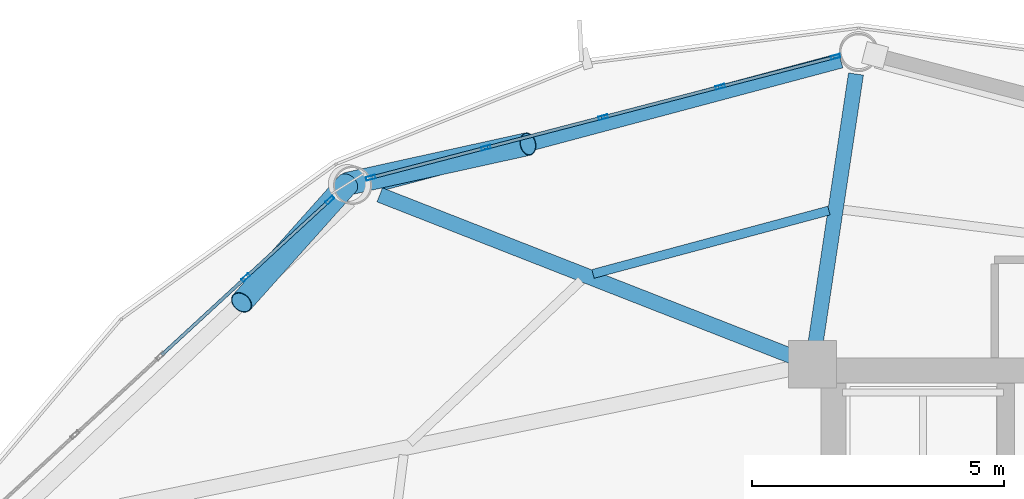
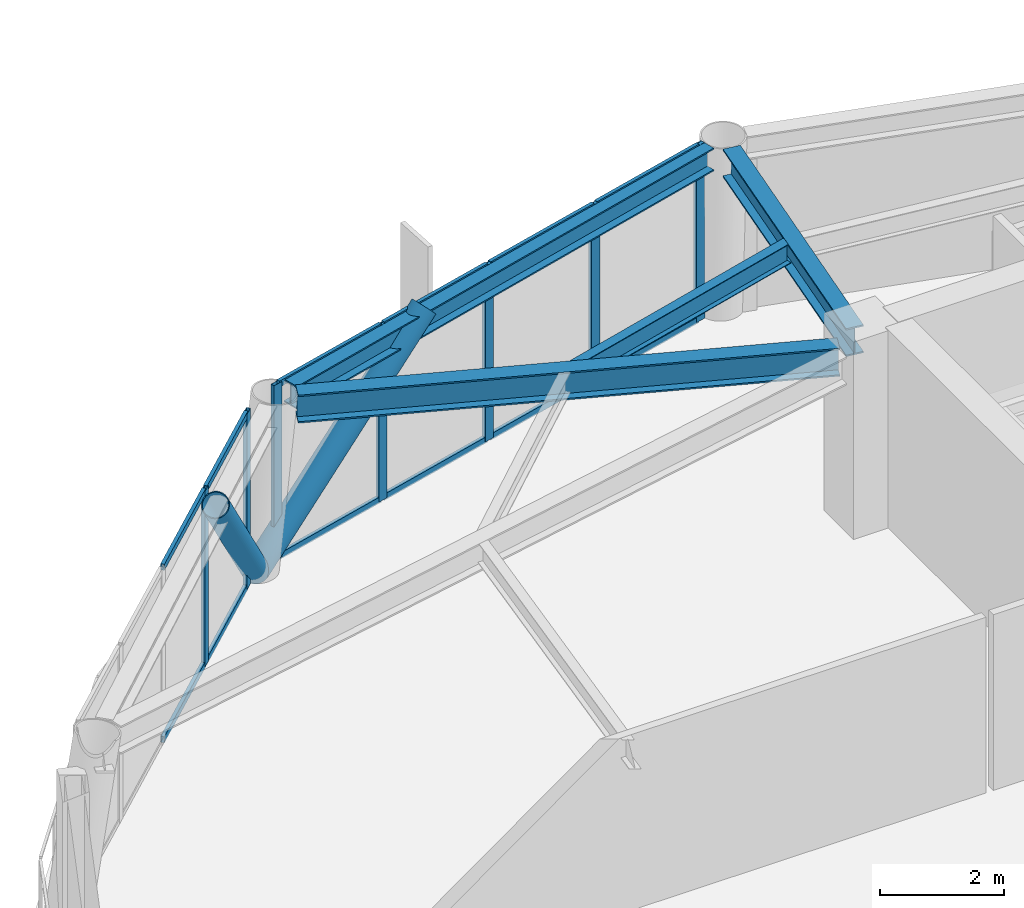
# One storey, part 18 of 26: 21 members, 4 beams, 2 elements without a shape of their own.
"""IFC4 building model written with IfcOpenShell, lengths in metres."""

from ifc_helpers import new_model, si_unit, direction, frame, origin, origin_2d, place, context, subcontext, project, spatial, hollow_rectangle, hollow_circle, i_section, extrude, material, layer, layer_set, material_profile, profile_set, type_object, element, aggregate, save


model = new_model("IFC4")

# Units and contexts
model_context = context("Model", 3, precision=1e-05, world=origin(), true_north=direction((0.0, 1.0)))
body_context = subcontext(model_context, "Body", "Model", "MODEL_VIEW")
ifc_project = project(units=[si_unit("LENGTHUNIT", "METRE"), si_unit("AREAUNIT", "SQUARE_METRE"), si_unit("VOLUMEUNIT", "CUBIC_METRE"), si_unit("PLANEANGLEUNIT", "RADIAN"), si_unit("MASSUNIT", "GRAM", prefix="KILO")], contexts=[model_context])

# Site, building, storey
site_placement = place(None, origin())
site = spatial("IfcSite", under=ifc_project, at=site_placement, CompositionType="ELEMENT")
building_placement = place(site_placement, origin())
building = spatial("IfcBuilding", under=site, at=building_placement, Name="Varnakorn Sky Granary", CompositionType="ELEMENT")
storey_placement = place(building_placement, frame((0.0, 0.0, 169.5)))
storey = spatial("IfcBuildingStorey", under=building, at=storey_placement, Name="L42", CompositionType="ELEMENT", Elevation=169.5)

# Beams
ifc_material_1 = material(Name="Steel S355JR", Category="steel")
ifc_material_profile_1 = material_profile(ifc_material_1, i_section(OverallWidth=0.300048828125, OverallDepth=0.550048828125, WebThickness=0.014892578125, FlangeThickness=0.029052734375, at=origin_2d()), Name="HE 550 B")
ifc_profile_set_1 = profile_set([ifc_material_profile_1], Name="Steel S355JR")
beam_type_1 = type_object("IfcBeamType", Name="BM-RAD-Z3", PredefinedType="BEAM", material=ifc_profile_set_1)
beam_1_placement = place(storey_placement, frame((-2.357666015625, 13.035400390625, 3.175048828125), z_axis=(0.148439704671, 0.988921460015, 0.0), x_axis=(-0.988921460015, 0.148439704671, 0.0)))
element("IfcBeam", 1, at=beam_1_placement, inside=storey, type_object=beam_type_1, Name="Radial Floor Girder RG04 L42", PredefinedType="BEAM", context=body_context, shape_type="SweptSolid", body=[
    extrude(i_section(OverallWidth=0.300048828125, OverallDepth=0.550048828125, WebThickness=0.014892578125, FlangeThickness=0.029052734375, at=origin_2d()), origin(), (0.0, 0.0, 1.0), 5.412841796875),
])
beam_2_placement = place(storey_placement, frame((-2.81103515625, 12.773193359375, 3.175048828125), z_axis=(-0.931108650768, 0.364741936805, 0.0), x_axis=(-0.364741936805, -0.931108650768, 0.0)))
element("IfcBeam", 2, at=beam_2_placement, inside=storey, type_object=beam_type_1, Name="Radial Floor Girder RG05 L42", PredefinedType="BEAM", context=body_context, shape_type="SweptSolid", body=[
    extrude(i_section(OverallWidth=0.300048828125, OverallDepth=0.550048828125, WebThickness=0.014892578125, FlangeThickness=0.029052734375, at=origin_2d()), origin(), (0.0, 0.0, 1.0), 8.812744140625),
])
ifc_material_profile_2 = material_profile(ifc_material_1, i_section(OverallWidth=0.179931640625, OverallDepth=0.39990234375, WebThickness=0.008544921875, FlangeThickness=0.013427734375, at=origin_2d()), Name="IPE 400")
ifc_profile_set_2 = profile_set([ifc_material_profile_2], Name="Steel S355JR")
beam_type_2 = type_object("IfcBeamType", Name="BM-SEC-Z3", PredefinedType="BEAM", material=ifc_profile_set_2)
beam_3_placement = place(storey_placement, frame((-2.09130859375, 15.67529296875, 3.25), z_axis=(-0.96579522681, -0.259305958032, 0.0), x_axis=(0.259305958032, -0.96579522681, 0.0)))
element("IfcBeam", 3, at=beam_3_placement, inside=storey, type_object=beam_type_2, Name="Secondary Floor Chord Beam MSB04 L42", PredefinedType="BEAM", context=body_context, shape_type="SweptSolid", body=[
    extrude(i_section(OverallWidth=0.179931640625, OverallDepth=0.39990234375, WebThickness=0.008544921875, FlangeThickness=0.013427734375, at=origin_2d()), origin(), (0.0, 0.0, 1.0), 4.853515625),
])
ifc_material_profile_3 = material_profile(ifc_material_1, i_section(OverallWidth=0.300048828125, OverallDepth=0.449951171875, WebThickness=0.013916015625, FlangeThickness=0.02587890625, at=origin_2d()), Name="HE 450 B")
ifc_profile_set_3 = profile_set([ifc_material_profile_3], Name="Steel S355JR")
beam_type_3 = type_object("IfcBeamType", Name="BM-SPD-Z3", PredefinedType="SPANDREL", material=ifc_profile_set_3)
beam_4_placement = place(storey_placement, frame((-1.853515625, 18.65576171875, 3.22509765625), z_axis=(-0.966226381463, -0.257694741438, 0.0), x_axis=(0.257694741438, -0.966226381463, 0.0)))
element("IfcBeam", 4, at=beam_4_placement, inside=storey, type_object=beam_type_3, Name="Perimeter Spandrel Ring Beam RB04 L42", PredefinedType="SPANDREL", context=body_context, shape_type="SweptSolid", body=[
    extrude(i_section(OverallWidth=0.300048828125, OverallDepth=0.449951171875, WebThickness=0.013916015625, FlangeThickness=0.02587890625, at=origin_2d()), origin(), (0.0, 0.0, 1.0), 9.47021484375),
])

# Curtain wall, members
ifc_material_2 = material(Name="Anodised Bronze Aluminium Alloy 6063-T6", Category="aluminium")
ifc_layer = layer(ifc_material_2, 0.179931640625, Name="Anodised Bronze Aluminium Alloy 6063-T6")
ifc_layer_set = layer_set([ifc_layer], Name="Anodised Bronze Aluminium Alloy 6063-T6")
curtain_wall_type = type_object("IfcCurtainWallType", Name="CW-FRM-2", PredefinedType="USERDEFINED", material=ifc_layer_set)
curtain_wall_1_placement = place(storey_placement, origin())
curtain_wall_1 = element("IfcCurtainWall", 5, at=curtain_wall_1_placement, inside=storey, type_object=curtain_wall_type, Name="Unitised Curtain Wall CW4 CW-L42-B04", ObjectType="CURTAIN WALL", PredefinedType="USERDEFINED")
ifc_material_profile_4 = material_profile(ifc_material_2, hollow_rectangle(XDim=0.070068359375, YDim=0.18505859375, WallThickness=0.00390625, at=origin_2d()), Name="ALU MULL 70x185")
ifc_profile_set_4 = profile_set([ifc_material_profile_4], Name="Anodised Bronze Aluminium Alloy 6063-T6")
member_type_1 = type_object("IfcMemberType", Name="CW-FRM-2-MULL", PredefinedType="MULLION", material=ifc_profile_set_4)
member_1_placement = place(storey_placement, frame((-11.19677734375, 16.327392578125, 0.0), z_axis=(0.0, 0.0, 1.0), x_axis=(-0.251759148896, 0.967789920875, 0.0)))
member_1 = element("IfcMember", 6, at=member_1_placement, type_object=member_type_1, Name="CW4 mullion 1", PredefinedType="MULLION", context=body_context, shape_type="SweptSolid", body=[
    extrude(hollow_rectangle(XDim=0.070068359375, YDim=0.18505859375, WallThickness=0.00390625, at=origin_2d()), origin(), (0.0, 0.0, 1.0), 3.449951171875),
])
member_2_placement = place(storey_placement, frame((-8.90478515625, 16.923828125, 0.0), z_axis=(0.0, 0.0, 1.0), x_axis=(-0.251759148896, 0.967789920875, 0.0)))
member_2 = element("IfcMember", 7, at=member_2_placement, type_object=member_type_1, Name="CW4 mullion 2", PredefinedType="MULLION", context=body_context, shape_type="SweptSolid", body=[
    extrude(hollow_rectangle(XDim=0.070068359375, YDim=0.18505859375, WallThickness=0.00390625, at=origin_2d()), origin(), (0.0, 0.0, 1.0), 3.449951171875),
])
member_3_placement = place(storey_placement, frame((-6.578857421875, 17.52880859375, 0.0), z_axis=(0.0, 0.0, 1.0), x_axis=(-0.251759148896, 0.967789920875, 0.0)))
member_3 = element("IfcMember", 8, at=member_3_placement, type_object=member_type_1, Name="CW4 mullion 3", PredefinedType="MULLION", context=body_context, shape_type="SweptSolid", body=[
    extrude(hollow_rectangle(XDim=0.070068359375, YDim=0.18505859375, WallThickness=0.00390625, at=origin_2d()), origin(), (0.0, 0.0, 1.0), 3.449951171875),
])
member_4_placement = place(storey_placement, frame((-4.252685546875, 18.134033203125, 0.0), z_axis=(0.0, 0.0, 1.0), x_axis=(-0.251759148896, 0.967789920875, 0.0)))
member_4 = element("IfcMember", 9, at=member_4_placement, type_object=member_type_1, Name="CW4 mullion 4", PredefinedType="MULLION", context=body_context, shape_type="SweptSolid", body=[
    extrude(hollow_rectangle(XDim=0.070068359375, YDim=0.18505859375, WallThickness=0.00390625, at=origin_2d()), origin(), (0.0, 0.0, 1.0), 3.449951171875),
])
member_5_placement = place(storey_placement, frame((-1.960693359375, 18.730224609375, 0.0), z_axis=(0.0, 0.0, 1.0), x_axis=(-0.251759148896, 0.967789920875, 0.0)))
member_5 = element("IfcMember", 10, at=member_5_placement, type_object=member_type_1, Name="CW4 mullion 5", PredefinedType="MULLION", context=body_context, shape_type="SweptSolid", body=[
    extrude(hollow_rectangle(XDim=0.070068359375, YDim=0.18505859375, WallThickness=0.00390625, at=origin_2d()), origin(), (0.0, 0.0, 1.0), 3.449951171875),
])

curtain_wall_2_placement = place(storey_placement, origin())
curtain_wall_2 = element("IfcCurtainWall", 11, at=curtain_wall_2_placement, inside=storey, type_object=curtain_wall_type, Name="Unitised Curtain Wall CW4 CW-L42-B05", ObjectType="CURTAIN WALL", PredefinedType="USERDEFINED")
member_6_placement = place(storey_placement, frame((-13.6787109375, 14.345703125, 0.0), z_axis=(0.0, 0.0, 1.0), x_axis=(-0.677547955322, 0.735478598084, 0.0)))
member_6 = element("IfcMember", 12, at=member_6_placement, type_object=member_type_1, Name="CW4 mullion 4", PredefinedType="MULLION", context=body_context, shape_type="SweptSolid", body=[
    extrude(hollow_rectangle(XDim=0.070068359375, YDim=0.18505859375, WallThickness=0.00390625, at=origin_2d()), origin(), (0.0, 0.0, 1.0), 3.449951171875),
])
member_7_placement = place(storey_placement, frame((-12.007568359375, 15.88525390625, 0.0), z_axis=(0.0, 0.0, 1.0), x_axis=(-0.677547955322, 0.735478598084, 0.0)))
member_7 = element("IfcMember", 13, at=member_7_placement, type_object=member_type_1, Name="CW4 mullion 5", PredefinedType="MULLION", context=body_context, shape_type="SweptSolid", body=[
    extrude(hollow_rectangle(XDim=0.070068359375, YDim=0.18505859375, WallThickness=0.00390625, at=origin_2d()), origin(), (0.0, 0.0, 1.0), 3.449951171875),
])

# Member
ifc_material_profile_5 = material_profile(ifc_material_2, hollow_rectangle(XDim=0.06494140625, YDim=0.1201171875, WallThickness=0.00341796875, at=origin_2d()), Name="ALU TRAN 65x120")
ifc_profile_set_5 = profile_set([ifc_material_profile_5], Name="Anodised Bronze Aluminium Alloy 6063-T6")
member_type_2 = type_object("IfcMemberType", Name="CW-FRM-2-TRAN", PredefinedType="USERDEFINED", material=ifc_profile_set_5)
member_8_placement = place(storey_placement, frame((-11.162841796875, 16.33642578125, 0.032470703125), z_axis=(0.967793009375, 0.251747276064, 0.0), x_axis=(-0.251747276064, 0.967793009375, 0.0)))
member_8 = element("IfcMember", 14, at=member_8_placement, type_object=member_type_2, Name="CW4 transom 1.1", ObjectType="TRANSOM", PredefinedType="USERDEFINED", context=body_context, shape_type="SweptSolid", body=[
    extrude(hollow_rectangle(XDim=0.06494140625, YDim=0.1201171875, WallThickness=0.00341796875, at=origin_2d()), origin(), (0.0, 0.0, 1.0), 2.29833984375),
])

member_9_placement = place(storey_placement, frame((-11.162841796875, 16.33642578125, 3.41748046875), z_axis=(0.967793009375, 0.251747276064, 0.0), x_axis=(-0.251747276064, 0.967793009375, 0.0)))
member_9 = element("IfcMember", 15, at=member_9_placement, type_object=member_type_2, Name="CW4 transom 1.2", ObjectType="TRANSOM", PredefinedType="USERDEFINED", context=body_context, shape_type="SweptSolid", body=[
    extrude(hollow_rectangle(XDim=0.06494140625, YDim=0.1201171875, WallThickness=0.00341796875, at=origin_2d()), origin(), (0.0, 0.0, 1.0), 2.29833984375),
])

member_10_placement = place(storey_placement, frame((-8.870849609375, 16.9326171875, 0.032470703125), z_axis=(0.967797021362, 0.251731852259, 0.0), x_axis=(-0.251731852259, 0.967797021362, 0.0)))
member_10 = element("IfcMember", 16, at=member_10_placement, type_object=member_type_2, Name="CW4 transom 2.1", ObjectType="TRANSOM", PredefinedType="USERDEFINED", context=body_context, shape_type="SweptSolid", body=[
    extrude(hollow_rectangle(XDim=0.06494140625, YDim=0.1201171875, WallThickness=0.00341796875, at=origin_2d()), origin(), (0.0, 0.0, 1.0), 2.33349609375),
])

member_11_placement = place(storey_placement, frame((-8.870849609375, 16.9326171875, 3.41748046875), z_axis=(0.967797021362, 0.251731852259, 0.0), x_axis=(-0.251731852259, 0.967797021362, 0.0)))
member_11 = element("IfcMember", 17, at=member_11_placement, type_object=member_type_2, Name="CW4 transom 2.2", ObjectType="TRANSOM", PredefinedType="USERDEFINED", context=body_context, shape_type="SweptSolid", body=[
    extrude(hollow_rectangle(XDim=0.06494140625, YDim=0.1201171875, WallThickness=0.00341796875, at=origin_2d()), origin(), (0.0, 0.0, 1.0), 2.33349609375),
])

member_12_placement = place(storey_placement, frame((-6.544921875, 17.53759765625, 0.032470703125), z_axis=(0.967797021362, 0.251731852259, 0.0), x_axis=(-0.251731852259, 0.967797021362, 0.0)))
member_12 = element("IfcMember", 18, at=member_12_placement, type_object=member_type_2, Name="CW4 transom 3.1", ObjectType="TRANSOM", PredefinedType="USERDEFINED", context=body_context, shape_type="SweptSolid", body=[
    extrude(hollow_rectangle(XDim=0.06494140625, YDim=0.1201171875, WallThickness=0.00341796875, at=origin_2d()), origin(), (0.0, 0.0, 1.0), 2.33349609375),
])

member_13_placement = place(storey_placement, frame((-6.544921875, 17.53759765625, 3.41748046875), z_axis=(0.967797021362, 0.251731852259, 0.0), x_axis=(-0.251731852259, 0.967797021362, 0.0)))
member_13 = element("IfcMember", 19, at=member_13_placement, type_object=member_type_2, Name="CW4 transom 3.2", ObjectType="TRANSOM", PredefinedType="USERDEFINED", context=body_context, shape_type="SweptSolid", body=[
    extrude(hollow_rectangle(XDim=0.06494140625, YDim=0.1201171875, WallThickness=0.00341796875, at=origin_2d()), origin(), (0.0, 0.0, 1.0), 2.33349609375),
])

member_14_placement = place(storey_placement, frame((-4.218994140625, 18.142822265625, 0.032470703125), z_axis=(0.967793009375, 0.251747276064, 0.0), x_axis=(-0.251747276064, 0.967793009375, 0.0)))
member_14 = element("IfcMember", 20, at=member_14_placement, type_object=member_type_2, Name="CW4 transom 4.1", ObjectType="TRANSOM", PredefinedType="USERDEFINED", context=body_context, shape_type="SweptSolid", body=[
    extrude(hollow_rectangle(XDim=0.06494140625, YDim=0.1201171875, WallThickness=0.00341796875, at=origin_2d()), origin(), (0.0, 0.0, 1.0), 2.29833984375),
])

member_15_placement = place(storey_placement, frame((-4.218994140625, 18.142822265625, 3.41748046875), z_axis=(0.967793009375, 0.251747276064, 0.0), x_axis=(-0.251747276064, 0.967793009375, 0.0)))
member_15 = element("IfcMember", 21, at=member_15_placement, type_object=member_type_2, Name="CW4 transom 4.2", ObjectType="TRANSOM", PredefinedType="USERDEFINED", context=body_context, shape_type="SweptSolid", body=[
    extrude(hollow_rectangle(XDim=0.06494140625, YDim=0.1201171875, WallThickness=0.00341796875, at=origin_2d()), origin(), (0.0, 0.0, 1.0), 2.29833984375),
])

aggregate(curtain_wall_1, [member_1, member_2, member_3, member_4, member_5, member_8, member_9, member_10, member_11, member_12, member_13, member_14, member_15])

member_16_placement = place(storey_placement, frame((-15.349609375, 12.806396484375, 0.032470703125), z_axis=(0.735489285858, 0.677536353555, 0.0), x_axis=(-0.677536353555, 0.735489285858, 0.0)))
member_16 = element("IfcMember", 22, at=member_16_placement, type_object=member_type_2, Name="CW4 transom 3.1", ObjectType="TRANSOM", PredefinedType="USERDEFINED", context=body_context, shape_type="SweptSolid", body=[
    extrude(hollow_rectangle(XDim=0.06494140625, YDim=0.1201171875, WallThickness=0.00341796875, at=origin_2d()), origin(), (0.0, 0.0, 1.0), 2.237060546875),
])

member_17_placement = place(storey_placement, frame((-15.349609375, 12.806396484375, 3.41748046875), z_axis=(0.735489285858, 0.677536353555, 0.0), x_axis=(-0.677536353555, 0.735489285858, 0.0)))
member_17 = element("IfcMember", 23, at=member_17_placement, type_object=member_type_2, Name="CW4 transom 3.2", ObjectType="TRANSOM", PredefinedType="USERDEFINED", context=body_context, shape_type="SweptSolid", body=[
    extrude(hollow_rectangle(XDim=0.06494140625, YDim=0.1201171875, WallThickness=0.00341796875, at=origin_2d()), origin(), (0.0, 0.0, 1.0), 2.237060546875),
])

member_18_placement = place(storey_placement, frame((-13.65283203125, 14.369384765625, 0.032470703125), z_axis=(0.735449148752, 0.67757992119, 0.0), x_axis=(-0.67757992119, 0.735449148752, 0.0)))
member_18 = element("IfcMember", 24, at=member_18_placement, type_object=member_type_2, Name="CW4 transom 4.1", ObjectType="TRANSOM", PredefinedType="USERDEFINED", context=body_context, shape_type="SweptSolid", body=[
    extrude(hollow_rectangle(XDim=0.06494140625, YDim=0.1201171875, WallThickness=0.00341796875, at=origin_2d()), origin(), (0.0, 0.0, 1.0), 2.2021484375),
])

member_19_placement = place(storey_placement, frame((-13.65283203125, 14.369384765625, 3.41748046875), z_axis=(0.735449148752, 0.67757992119, 0.0), x_axis=(-0.67757992119, 0.735449148752, 0.0)))
member_19 = element("IfcMember", 25, at=member_19_placement, type_object=member_type_2, Name="CW4 transom 4.2", ObjectType="TRANSOM", PredefinedType="USERDEFINED", context=body_context, shape_type="SweptSolid", body=[
    extrude(hollow_rectangle(XDim=0.06494140625, YDim=0.1201171875, WallThickness=0.00341796875, at=origin_2d()), origin(), (0.0, 0.0, 1.0), 2.2021484375),
])

aggregate(curtain_wall_2, [member_6, member_7, member_16, member_17, member_18, member_19])

# Members
ifc_material_3 = material(Name="Steel S460M", Category="steel")
ifc_material_profile_6 = material_profile(ifc_material_3, hollow_circle(Radius=0.228515625, WallThickness=0.01611328125, at=origin_2d()), Name="CHS 457x16")
ifc_profile_set_6 = profile_set([ifc_material_profile_6], Name="Steel S460M")
member_type_3 = type_object("IfcMemberType", Name="MB-DIAG-T3", PredefinedType="BRACE", material=ifc_profile_set_6)
member_20_placement = place(storey_placement, frame((-11.657470703125, 16.207763671875, 0.0), z_axis=(0.711711211687, 0.156715058119, 0.684768239419), x_axis=(-0.215043173699, 0.976604543019, 0.0)))
element("IfcMember", 26, at=member_20_placement, inside=storey, type_object=member_type_3, Name="Perimeter CHS Diagrid Brace DG04 L42", PredefinedType="BRACE", context=body_context, shape_type="SweptSolid", body=[
    extrude(hollow_circle(Radius=0.228515625, WallThickness=0.01611328125, at=origin_2d()), origin(), (0.0, 0.0, 1.0), 5.0380859375),
])
member_21_placement = place(storey_placement, frame((-11.657470703125, 16.207763671875, 0.0), z_axis=(-0.449963510676, -0.503913217314, 0.737295265465), x_axis=(0.745907513489, -0.666049533685, 0.0)))
element("IfcMember", 27, at=member_21_placement, inside=storey, type_object=member_type_3, Name="Perimeter CHS Diagrid Brace DG05 L42", PredefinedType="BRACE", context=body_context, shape_type="SweptSolid", body=[
    extrude(hollow_circle(Radius=0.228515625, WallThickness=0.01611328125, at=origin_2d()), origin(), (0.0, 0.0, 1.0), 4.67919921875),
])

save(model, "model.ifc")
